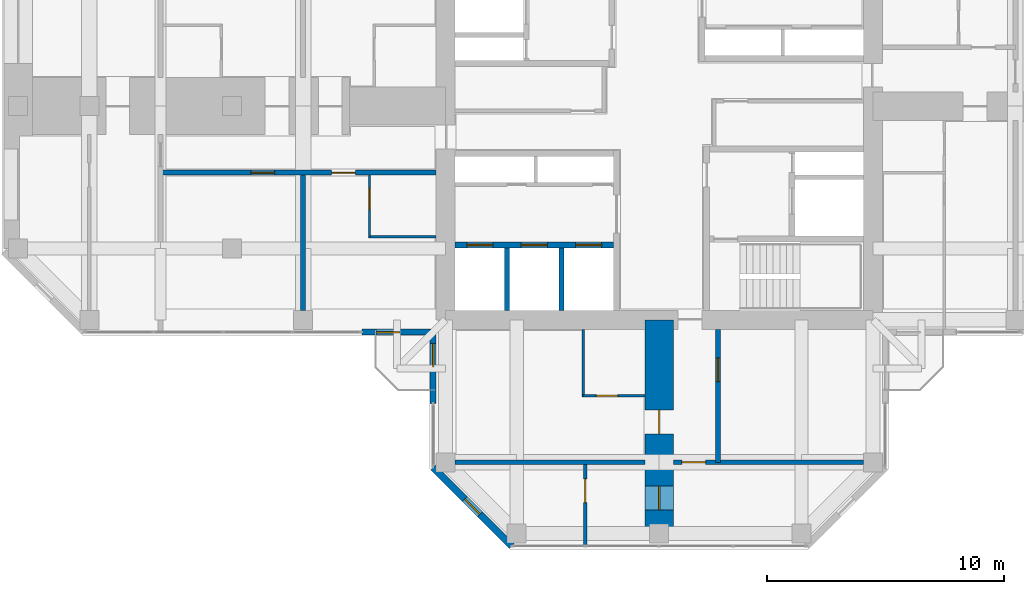
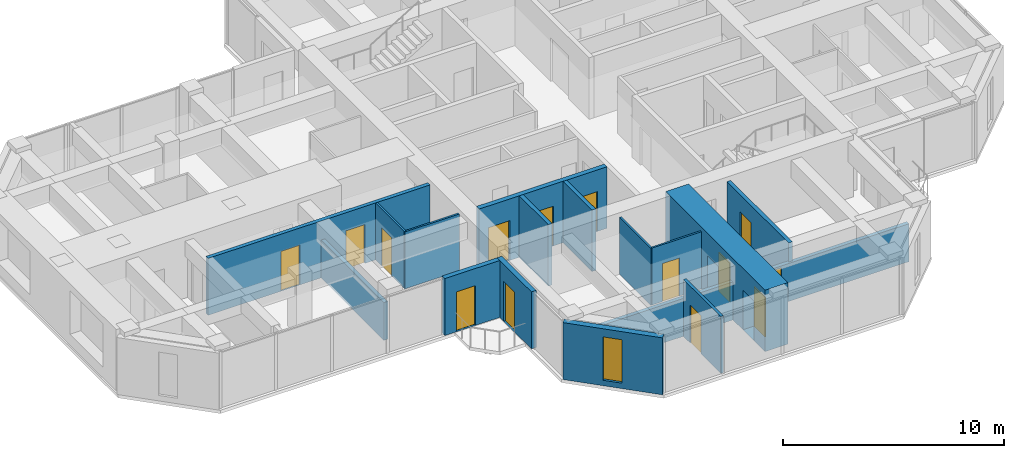
# One storey, part 8 of 13: 17 walls, 14 doors, 1 window, 15 openings.
"""IFC4 building model written with IfcOpenShell, lengths in metres."""

import ifcopenshell
import ifcopenshell.guid

model = None  # the IFC model being written
_history = None  # IfcOwnerHistory: only IFC2X3 demands one
_inside = {}  # id of a spatial element -> (the spatial element, [elements in it])
_under = {}  # id of a project, library or spatial element -> (it, [spatial elements below it])
_declared = {}  # id of a project -> (the project, [libraries it declares])
_typed = {}  # id of a type object -> (the type object, [elements of that type])
_made_of = {}  # id of a material, layer set ... -> (it, [elements and type objects made of it])


def new_model(schema):
    """Start an empty IFC model of exactly this schema.

    Asked for "IFC4X3", IfcOpenShell would pick the latest addendum, in which some entities
    have other attributes; the version numbers below select the first issue.
    IFC2X3 requires an IfcOwnerHistory on every rooted entity: one is made here for all.
    """
    global model, _history
    if schema == "IFC4X3":
        model = ifcopenshell.file(schema_version=(4, 3, 0, 0))
    else:
        model = ifcopenshell.file(schema=schema)
    _inside.clear()
    _under.clear()
    _declared.clear()
    _typed.clear()
    _made_of.clear()
    _history = None
    if model.schema == "IFC2X3":
        org = make("IfcOrganization", Name="unknown")
        user = make(
            "IfcPersonAndOrganization",
            ThePerson=make("IfcPerson", FamilyName="unknown"),
            TheOrganization=org,
        )
        app = make(
            "IfcApplication",
            ApplicationDeveloper=org,
            Version="unknown",
            ApplicationFullName="unknown",
            ApplicationIdentifier="unknown",
        )
        _history = make(
            "IfcOwnerHistory",
            OwningUser=user,
            OwningApplication=app,
            ChangeAction="ADDED",
            CreationDate=0,
        )
    return model


def make(cls, **values):
    """One entity of the class cls with the attributes given. An attribute that is None is left unset."""
    return model.create_entity(
        cls, **{name: value for name, value in values.items() if value is not None}
    )


def rooted(cls, **values):
    """An entity with a GlobalId (a new one), such as an element, a storey or a relation."""
    return make(cls, GlobalId=ifcopenshell.guid.new(), OwnerHistory=_history, **values)


def si_unit(unit_type, name, prefix=None):
    """IfcSIUnit, for example si_unit("LENGTHUNIT", "METRE", prefix="MILLI")."""
    return make("IfcSIUnit", UnitType=unit_type, Prefix=prefix, Name=name)


def assignment(units):
    """IfcUnitAssignment: the units of a project."""
    return None if units is None else make("IfcUnitAssignment", Units=units)


def point(xyz):
    """IfcCartesianPoint."""
    return None if xyz is None else make("IfcCartesianPoint", Coordinates=xyz)


def direction(xyz):
    """IfcDirection."""
    return None if xyz is None else make("IfcDirection", DirectionRatios=xyz)


def frame(location, z_axis=None, x_axis=None):
    """IfcAxis2Placement3D, a coordinate frame: its origin and axes. An axis left out is left unset."""
    return make(
        "IfcAxis2Placement3D",
        Location=point(location),
        Axis=direction(z_axis),
        RefDirection=direction(x_axis),
    )


def frame_2d(location, x_axis=None):
    """IfcAxis2Placement2D, a coordinate frame in the plane: its origin and x axis."""
    return make(
        "IfcAxis2Placement2D", Location=point(location), RefDirection=direction(x_axis)
    )


def origin():
    """The frame at (0, 0, 0) with its axes left unset."""
    return frame((0.0, 0.0, 0.0))


def place(relative_to, where):
    """IfcLocalPlacement: puts the frame where relative to a parent placement (None: the world)."""
    return make(
        "IfcLocalPlacement", PlacementRelTo=relative_to, RelativePlacement=where
    )


def context(
    kind, dimensions, precision=None, world=None, true_north=None, identifier=None
):
    """IfcGeometricRepresentationContext, for example the 3D "Model" context."""
    return make(
        "IfcGeometricRepresentationContext",
        ContextIdentifier=identifier,
        ContextType=kind,
        CoordinateSpaceDimension=dimensions,
        Precision=precision,
        WorldCoordinateSystem=world,
        TrueNorth=true_north,
    )


def subcontext(parent, identifier, kind, view, scale=None):
    """IfcGeometricRepresentationSubContext, for example "Body" below "Model"."""
    return make(
        "IfcGeometricRepresentationSubContext",
        ContextIdentifier=identifier,
        ContextType=kind,
        ParentContext=parent,
        TargetScale=scale,
        TargetView=view,
    )


def project(units=None, contexts=None):
    """IfcProject with its units and contexts."""
    return rooted(
        "IfcProject",
        Name="project",
        RepresentationContexts=contexts,
        UnitsInContext=assignment(units),
    )


def spatial(cls, under=None, at=None, **own):
    """A site, building, storey or space (cls), placed at a placement, below another one or the project."""
    s = rooted(cls, ObjectPlacement=at, **own)
    if under is not None:
        _under.setdefault(under.id(), (under, []))[1].append(s)
    return s


def profile(cls, at=None, kind="AREA", **sizes):
    """A parametric profile (cls). Its sizes go by their IFC names, for example OverallWidth=200.0."""
    return make(cls, ProfileType=kind, Position=at, **sizes)


def rectangle(**sizes):
    """IfcRectangleProfileDef."""
    return profile("IfcRectangleProfileDef", **sizes)


def hollow_rectangle(**sizes):
    """IfcRectangleHollowProfileDef."""
    return profile("IfcRectangleHollowProfileDef", **sizes)


def extrude(swept, where, along, depth):
    """IfcExtrudedAreaSolid: the profile swept, set in the frame where, extruded along a direction by depth."""
    return make(
        "IfcExtrudedAreaSolid",
        SweptArea=swept,
        Position=where,
        ExtrudedDirection=direction(along),
        Depth=depth,
    )


def shape(context_of_items, identifier, shape_type, items):
    """IfcShapeRepresentation: the items that make up one representation, for example the "Body"."""
    return make(
        "IfcShapeRepresentation",
        ContextOfItems=context_of_items,
        RepresentationIdentifier=identifier,
        RepresentationType=shape_type,
        Items=items,
    )


def material(Name=None, Category=None):
    """IfcMaterial."""
    return make("IfcMaterial", Name=Name, Category=Category)


def layer(
    of_material, thickness, ventilated=None, Name=None, Category=None, Priority=None
):
    """IfcMaterialLayer: one layer of a wall or slab, of a material (None: an air gap)."""
    return make(
        "IfcMaterialLayer",
        Material=of_material,
        LayerThickness=thickness,
        IsVentilated=ventilated,
        Name=Name,
        Category=Category,
        Priority=Priority,
    )


def layer_set(layers, Name=None):
    """IfcMaterialLayerSet."""
    return make("IfcMaterialLayerSet", MaterialLayers=layers, LayerSetName=Name)


def constituent(of_material, Name=None, Category=None, fraction=None):
    """IfcMaterialConstituent: one of the materials an element consists of."""
    return make(
        "IfcMaterialConstituent",
        Name=Name,
        Material=of_material,
        Fraction=fraction,
        Category=Category,
    )


def constituent_set(constituents=None, Name=None):
    """IfcMaterialConstituentSet."""
    return make(
        "IfcMaterialConstituentSet", Name=Name, MaterialConstituents=constituents
    )


def made_of(thing, what):
    """Note that an element or type object is made of a material, layer set ...; save() writes the relation."""
    if what is not None:
        _made_of.setdefault(what.id(), (what, []))[1].append(thing)
    return thing


def type_object(cls, material=None, **own):
    """A type object (cls), such as IfcWallType, which elements share."""
    return made_of(rooted(cls, **own), material)


def element(
    cls,
    number,
    at=None,
    inside=None,
    cuts=None,
    type_object=None,
    material=None,
    context=None,
    identifier="Body",
    shape_type=None,
    held_by="IfcProductDefinitionShape",
    body=None,
    shapes=None,
    **own,
):
    """One element of the class cls, such as IfcWall. Its Tag is "e" and its number.

    at: its placement. inside: the storey or other place that contains it. cuts: it is an
    opening in that element (IfcRelVoidsElement). A single representation is given by context,
    identifier, shape_type and body (its items); several are given by shapes. held_by: the class
    of the entity that holds the representations. save() writes the other relations.
    """
    e = rooted(cls, Tag="e%d" % number, ObjectPlacement=at, **own)
    if body is not None:
        shapes = [shape(context, identifier, shape_type, body)]
    if shapes is not None:
        e.Representation = make(held_by, Representations=shapes)
    if inside is not None:
        _inside.setdefault(inside.id(), (inside, []))[1].append(e)
    if cuts is not None:
        rooted(
            "IfcRelVoidsElement", RelatingBuildingElement=cuts, RelatedOpeningElement=e
        )
    if type_object is not None:
        _typed.setdefault(type_object.id(), (type_object, []))[1].append(e)
    return made_of(e, material)


def fill(opening, filler):
    """IfcRelFillsElement: the door or window that sits in an opening."""
    return rooted(
        "IfcRelFillsElement",
        RelatingOpeningElement=opening,
        RelatedBuildingElement=filler,
    )


def aggregate(whole, parts):
    """IfcRelAggregates: a whole, such as a stair, and the parts it consists of."""
    return rooted("IfcRelAggregates", RelatingObject=whole, RelatedObjects=parts)


def save(model, path):
    """Write the relations noted so far, then the file.

    IfcRelAggregates (storeys below a building ...), IfcRelContainedInSpatialStructure (elements
    in a storey), IfcRelDefinesByType, IfcRelAssociatesMaterial and IfcRelDeclares: one each for
    every whole, place, type object, material and project.
    """
    for whole, parts in _under.values():
        aggregate(whole, parts)
    for where, things in _inside.values():
        rooted(
            "IfcRelContainedInSpatialStructure",
            RelatedElements=things,
            RelatingStructure=where,
        )
    for kind, things in _typed.values():
        rooted("IfcRelDefinesByType", RelatedObjects=things, RelatingType=kind)
    for what, things in _made_of.values():
        rooted("IfcRelAssociatesMaterial", RelatedObjects=things, RelatingMaterial=what)
    for by, libraries in _declared.values():
        rooted("IfcRelDeclares", RelatingContext=by, RelatedDefinitions=libraries)
    model.write(path)


model = new_model("IFC4")

# Units and contexts
model_context = context("Model", 3, precision=1e-05, world=origin(), true_north=direction((0.0, 1.0)))
body_context = subcontext(model_context, "Body", "Model", "MODEL_VIEW")
ifc_project = project(units=[si_unit("LENGTHUNIT", "METRE"), si_unit("AREAUNIT", "SQUARE_METRE"), si_unit("VOLUMEUNIT", "CUBIC_METRE"), si_unit("PLANEANGLEUNIT", "RADIAN"), si_unit("MASSUNIT", "GRAM", prefix="KILO")], contexts=[model_context])

# Site, building, storey
site_placement = place(None, origin())
site = spatial("IfcSite", under=ifc_project, at=site_placement, CompositionType="ELEMENT")
building_placement = place(site_placement, origin())
building = spatial("IfcBuilding", under=site, at=building_placement, Name="Torre Cruceta", CompositionType="ELEMENT")
storey_placement = place(building_placement, frame((0.0, 0.0, 249.300048828125)))
storey = spatial("IfcBuildingStorey", under=building, at=storey_placement, Name="L64", CompositionType="ELEMENT", Elevation=249.300048828125)

# Wall
ifc_material_1 = material(Name="Water-resistant plasterboard on steel studs", Category="steel")
ifc_layer_1 = layer(ifc_material_1, 0.10009765625)
ifc_layer_set_1 = layer_set([ifc_layer_1], Name="Water-resistant plasterboard on steel studs")
wall_type_1 = type_object("IfcWallType", Name="BATHROOM WALL 100", PredefinedType="PARTITIONING", material=ifc_layer_set_1)
wall_1_placement = place(storey_placement, frame((-3.199951171875, -9.39990234375, 0.0), z_axis=(0.0, 0.0, 1.0), x_axis=(0.0, -1.0, 0.0)))
element("IfcWall", 1, at=wall_1_placement, inside=storey, type_object=wall_type_1, Name="PT4 L64-S-U1RBB", PredefinedType="PARTITIONING", context=body_context, shape_type="SweptSolid", body=[
    extrude(rectangle(XDim=2.85009765625, YDim=0.10009765625, at=frame_2d((1.425048828125, 0.0))), origin(), (0.0, 0.0, 1.0), 3.14990234375),
])

# Wall, opening, door
wall_2_placement = place(storey_placement, frame((-3.199951171875, -12.199951171875, 0.0), z_axis=(0.0, 0.0, 1.0), x_axis=(1.0, 0.0, 0.0)))
wall_2 = element("IfcWall", 2, at=wall_2_placement, inside=storey, type_object=wall_type_1, Name="PT4 L64-S-U1RBS", PredefinedType="PARTITIONING", context=body_context, shape_type="SweptSolid", body=[
    extrude(rectangle(XDim=2.599853515625, YDim=0.10009765625, at=frame_2d((1.2998046875, 0.0))), origin(), (0.0, 0.0, 1.0), 3.14990234375),
])
opening_1_placement = place(wall_2_placement, frame((0.550048828125, 0.0, 0.0)))
opening_1 = element("IfcOpeningElement", 3, at=opening_1_placement, cuts=wall_2, Name="Opening D7", PredefinedType="OPENING", context=body_context, shape_type="SweptSolid", body=[
    extrude(rectangle(XDim=0.89990234375, YDim=2.10009765625, at=frame_2d((0.449951171875, 1.050048828125))), frame((0.0, 0.06005859375, 0.0), z_axis=(0.0, -1.0, 0.0), x_axis=(1.0, 0.0, 0.0)), (0.0, 0.0, 1.0), 0.1201171875),
])
ifc_material_2 = material(Name="Timber door", Category="wood")
door_type_1 = type_object("IfcDoorType", Name="BATHROOM DOOR 900X2100", OperationType="SINGLE_SWING_LEFT", PredefinedType="DOOR", material=ifc_material_2)
door_1_placement = place(opening_1_placement, origin())
door_1 = element("IfcDoor", 4, at=door_1_placement, inside=storey, type_object=door_type_1, Name="D7 L64-S-U1RBS-D1", OperationType="SINGLE_SWING_LEFT", OverallHeight=2.10009765625, OverallWidth=0.89990234375, PredefinedType="DOOR", context=body_context, shape_type="SweptSolid", body=[
    extrude(rectangle(XDim=0.89990234375, YDim=2.10009765625, at=frame_2d((0.449951171875, 1.050048828125))), frame((0.0, 0.02490234375, 0.0), z_axis=(0.0, -1.0, 0.0), x_axis=(1.0, 0.0, 0.0)), (0.0, 0.0, 1.0), 0.050048828125),
])
fill(opening_1, door_1)

# Wall
wall_3_placement = place(storey_placement, frame((-9.39990234375, -5.5, 0.0), z_axis=(0.0, 0.0, 1.0), x_axis=(-1.0, 0.0, 0.0)))
element("IfcWall", 5, at=wall_3_placement, inside=storey, type_object=wall_type_1, Name="PT4 L64-W-U1LBB", PredefinedType="PARTITIONING", context=body_context, shape_type="SweptSolid", body=[
    extrude(rectangle(XDim=2.85009765625, YDim=0.10009765625, at=frame_2d((1.425048828125, 0.0))), origin(), (0.0, 0.0, 1.0), 3.14990234375),
])

# Wall, opening, door
wall_4_placement = place(storey_placement, frame((-12.199951171875, -2.89990234375, 0.0), z_axis=(0.0, 0.0, 1.0), x_axis=(0.0, -1.0, 0.0)))
wall_4 = element("IfcWall", 6, at=wall_4_placement, inside=storey, type_object=wall_type_1, Name="PT4 L64-W-U1LBS", PredefinedType="PARTITIONING", context=body_context, shape_type="SweptSolid", body=[
    extrude(rectangle(XDim=2.60009765625, YDim=0.10009765625, at=frame_2d((1.300048828125, 0.0))), origin(), (0.0, 0.0, 1.0), 3.14990234375),
])
opening_2_placement = place(wall_4_placement, frame((0.550048828125, 0.0, 0.0)))
opening_2 = element("IfcOpeningElement", 7, at=opening_2_placement, cuts=wall_4, Name="Opening D7", PredefinedType="OPENING", context=body_context, shape_type="SweptSolid", body=[
    extrude(rectangle(XDim=0.89990234375, YDim=2.10009765625, at=frame_2d((0.449951171875, 1.050048828125))), frame((0.0, 0.06005859375, 0.0), z_axis=(0.0, -1.0, 0.0), x_axis=(1.0, 0.0, 0.0)), (0.0, 0.0, 1.0), 0.1201171875),
])
door_2_placement = place(opening_2_placement, origin())
door_2 = element("IfcDoor", 8, at=door_2_placement, inside=storey, type_object=door_type_1, Name="D7 L64-W-U1LBS-D1", OperationType="SINGLE_SWING_LEFT", OverallHeight=2.10009765625, OverallWidth=0.89990234375, PredefinedType="DOOR", context=body_context, shape_type="SweptSolid", body=[
    extrude(rectangle(XDim=0.89990234375, YDim=2.10009765625, at=frame_2d((0.449951171875, 1.050048828125))), frame((0.0, 0.02490234375, 0.0), z_axis=(0.0, -1.0, 0.0), x_axis=(1.0, 0.0, 0.0)), (0.0, 0.0, 1.0), 0.050048828125),
])
fill(opening_2, door_2)

# Wall, openings, doors
ifc_material_3 = material(Name="Concrete G60 (fck 60 MPa)", Category="concrete")
ifc_layer_2 = layer(ifc_material_3, 0.25)
ifc_layer_set_2 = layer_set([ifc_layer_2], Name="Concrete G60 (fck 60 MPa)")
wall_type_2 = type_object("IfcWallType", Name="CORE INNER WALL 250 G60", PredefinedType="SHEAR", material=ifc_layer_set_2)
wall_5_placement = place(storey_placement, frame((-1.925048828125, -5.85009765625, 0.0), z_axis=(0.0, 0.0, 1.0), x_axis=(-1.0, 0.0, 0.0)))
wall_5 = element("IfcWall", 9, at=wall_5_placement, inside=storey, type_object=wall_type_2, Name="CW4 L64 SW-LV", PredefinedType="SHEAR", context=body_context, shape_type="SweptSolid", body=[
    extrude(rectangle(XDim=6.675048828125, YDim=0.25, at=frame_2d((3.33740234375, 0.0))), origin(), (0.0, 0.0, 1.0), 3.39990234375),
])
opening_3_placement = place(wall_5_placement, frame((0.495849609375, 0.0, 0.0)))
opening_3 = element("IfcOpeningElement", 10, at=opening_3_placement, cuts=wall_5, Name="Opening LD1", PredefinedType="OPENING", context=body_context, shape_type="SweptSolid", body=[
    extrude(rectangle(XDim=1.10009765625, YDim=2.199951171875, at=frame_2d((0.550048828125, 1.10009765625))), frame((0.0, 0.135009765625, 0.0), z_axis=(0.0, -1.0, 0.0), x_axis=(1.0, 0.0, 0.0)), (0.0, 0.0, 1.0), 0.27001953125),
])
opening_4_placement = place(wall_5_placement, frame((2.78759765625, 0.0, 0.0)))
opening_4 = element("IfcOpeningElement", 11, at=opening_4_placement, cuts=wall_5, Name="Opening LD1", PredefinedType="OPENING", context=body_context, shape_type="SweptSolid", body=[
    extrude(rectangle(XDim=1.10009765625, YDim=2.199951171875, at=frame_2d((0.550048828125, 1.10009765625))), frame((0.0, 0.135009765625, 0.0), z_axis=(0.0, -1.0, 0.0), x_axis=(1.0, 0.0, 0.0)), (0.0, 0.0, 1.0), 0.27001953125),
])
opening_5_placement = place(wall_5_placement, frame((5.0791015625, 0.0, 0.0)))
opening_5 = element("IfcOpeningElement", 12, at=opening_5_placement, cuts=wall_5, Name="Opening LD1", PredefinedType="OPENING", context=body_context, shape_type="SweptSolid", body=[
    extrude(rectangle(XDim=1.10009765625, YDim=2.199951171875, at=frame_2d((0.550048828125, 1.10009765625))), frame((0.0, 0.135009765625, 0.0), z_axis=(0.0, -1.0, 0.0), x_axis=(1.0, 0.0, 0.0)), (0.0, 0.0, 1.0), 0.27001953125),
])
ifc_material_4 = material(Name="Stainless steel 1.4401", Category="steel")
door_type_2 = type_object("IfcDoorType", Name="LIFT LANDING DOOR 1100X2200", OperationType="DOUBLE_DOOR_SLIDING", PredefinedType="DOOR", material=ifc_material_4)
door_3_placement = place(opening_3_placement, origin())
door_3 = element("IfcDoor", 13, at=door_3_placement, inside=storey, type_object=door_type_2, Name="Lift landing door R1", OperationType="DOUBLE_DOOR_SLIDING", OverallHeight=2.199951171875, OverallWidth=1.10009765625, PredefinedType="DOOR", context=body_context, shape_type="SweptSolid", body=[
    extrude(rectangle(XDim=1.10009765625, YDim=2.199951171875, at=frame_2d((0.550048828125, 1.10009765625))), frame((0.0, 0.02490234375, 0.0), z_axis=(0.0, -1.0, 0.0), x_axis=(1.0, 0.0, 0.0)), (0.0, 0.0, 1.0), 0.050048828125),
])
fill(opening_3, door_3)
door_4_placement = place(opening_4_placement, origin())
door_4 = element("IfcDoor", 14, at=door_4_placement, inside=storey, type_object=door_type_2, Name="Lift landing door R2", OperationType="DOUBLE_DOOR_SLIDING", OverallHeight=2.199951171875, OverallWidth=1.10009765625, PredefinedType="DOOR", context=body_context, shape_type="SweptSolid", body=[
    extrude(rectangle(XDim=1.10009765625, YDim=2.199951171875, at=frame_2d((0.550048828125, 1.10009765625))), frame((0.0, 0.02490234375, 0.0), z_axis=(0.0, -1.0, 0.0), x_axis=(1.0, 0.0, 0.0)), (0.0, 0.0, 1.0), 0.050048828125),
])
fill(opening_4, door_4)
door_5_placement = place(opening_5_placement, origin())
door_5 = element("IfcDoor", 15, at=door_5_placement, inside=storey, type_object=door_type_2, Name="Lift landing door R3", OperationType="DOUBLE_DOOR_SLIDING", OverallHeight=2.199951171875, OverallWidth=1.10009765625, PredefinedType="DOOR", context=body_context, shape_type="SweptSolid", body=[
    extrude(rectangle(XDim=1.10009765625, YDim=2.199951171875, at=frame_2d((0.550048828125, 1.10009765625))), frame((0.0, 0.02490234375, 0.0), z_axis=(0.0, -1.0, 0.0), x_axis=(1.0, 0.0, 0.0)), (0.0, 0.0, 1.0), 0.050048828125),
])
fill(opening_5, door_5)

# Wall, opening, door
ifc_material_5 = material(Name="Concrete G25 (fck 25 MPa)", Category="concrete")
ifc_layer_3 = layer(ifc_material_5, 0.199951171875)
ifc_layer_set_3 = layer_set([ifc_layer_3], Name="Concrete G25 (fck 25 MPa)")
wall_type_3 = type_object("IfcWallType", Name="CORRIDOR WALL 200", PredefinedType="SOLIDWALL", material=ifc_layer_set_3)
wall_6_placement = place(storey_placement, frame((2.47509765625, -9.39990234375, 0.0), z_axis=(0.0, 0.0, 1.0), x_axis=(0.0, -1.0, 0.0)))
wall_6 = element("IfcWall", 16, at=wall_6_placement, inside=storey, type_object=wall_type_3, Name="PT3 L64-S-CL", PredefinedType="SOLIDWALL", context=body_context, shape_type="SweptSolid", body=[
    extrude(rectangle(XDim=5.60009765625, YDim=0.199951171875, at=frame_2d((2.800048828125, 0.0))), origin(), (0.0, 0.0, 1.0), 3.14990234375),
])
opening_6_placement = place(wall_6_placement, frame((1.199951171875, 0.0, 0.0)))
opening_6 = element("IfcOpeningElement", 17, at=opening_6_placement, cuts=wall_6, Name="Opening D14", PredefinedType="OPENING", context=body_context, shape_type="SweptSolid", body=[
    extrude(rectangle(XDim=1.0, YDim=2.199951171875, at=frame_2d((0.5, 1.10009765625))), frame((0.0, 0.10986328125, 0.0), z_axis=(0.0, -1.0, 0.0), x_axis=(1.0, 0.0, 0.0)), (0.0, 0.0, 1.0), 0.219970703125),
])
ifc_material_6 = material(Name="Steel DX51D", Category="steel")
ifc_constituent_1 = constituent(ifc_material_6, Name="Leaf and frame")
ifc_material_7 = material(Name="Polyester powder coating", Category="paint")
ifc_constituent_2 = constituent(ifc_material_7, Name="Finish")
ifc_material_8 = material(Name="Fire-resisting glass", Category="glass")
ifc_constituent_3 = constituent(ifc_material_8, Name="Vision panel")
ifc_constituent_set_1 = constituent_set(constituents=[ifc_constituent_1, ifc_constituent_2, ifc_constituent_3], Name="Steel fire door with vision panel")
door_type_3 = type_object("IfcDoorType", Name="FIRE DOOR VISION PANEL 1000X2200", OperationType="SINGLE_SWING_RIGHT", PredefinedType="DOOR", material=ifc_constituent_set_1)
door_6_placement = place(opening_6_placement, origin())
door_6 = element("IfcDoor", 18, at=door_6_placement, inside=storey, type_object=door_type_3, Name="D14 L64-S-CL-D1", OperationType="SINGLE_SWING_LEFT", OverallHeight=2.199951171875, OverallWidth=1.0, PredefinedType="DOOR", context=body_context, shape_type="SweptSolid", body=[
    extrude(rectangle(XDim=1.0, YDim=2.199951171875, at=frame_2d((0.5, 1.10009765625))), frame((0.0, 0.02490234375, 0.0), z_axis=(0.0, -1.0, 0.0), x_axis=(1.0, 0.0, 0.0)), (0.0, 0.0, 1.0), 0.050048828125),
])
fill(opening_6, door_6)

# Wall, openings, doors
wall_7_placement = place(storey_placement, frame((-9.39990234375, -2.800048828125, 0.0), z_axis=(0.0, 0.0, 1.0), x_axis=(-1.0, 0.0, 0.0)))
wall_7 = element("IfcWall", 19, at=wall_7_placement, inside=storey, type_object=wall_type_3, Name="PT3 L64-W-CL", PredefinedType="SOLIDWALL", context=body_context, shape_type="SweptSolid", body=[
    extrude(rectangle(XDim=11.60009765625, YDim=0.199951171875, at=frame_2d((5.800048828125, 0.0))), origin(), (0.0, 0.0, 1.0), 3.14990234375),
])
opening_7_placement = place(wall_7_placement, frame((3.39990234375, 0.0, 0.0)))
opening_7 = element("IfcOpeningElement", 20, at=opening_7_placement, cuts=wall_7, Name="Opening D6", PredefinedType="OPENING", context=body_context, shape_type="SweptSolid", body=[
    extrude(rectangle(XDim=1.0, YDim=2.14990234375, at=frame_2d((0.5, 1.074951171875))), frame((0.0, 0.10986328125, 0.0), z_axis=(0.0, -1.0, 0.0), x_axis=(1.0, 0.0, 0.0)), (0.0, 0.0, 1.0), 0.219970703125),
])
opening_8_placement = place(wall_7_placement, frame((6.800048828125, 0.0, 0.0)))
opening_8 = element("IfcOpeningElement", 21, at=opening_8_placement, cuts=wall_7, Name="Opening D14", PredefinedType="OPENING", context=body_context, shape_type="SweptSolid", body=[
    extrude(rectangle(XDim=1.0, YDim=2.199951171875, at=frame_2d((0.5, 1.10009765625))), frame((0.0, 0.10986328125, 0.0), z_axis=(0.0, -1.0, 0.0), x_axis=(1.0, 0.0, 0.0)), (0.0, 0.0, 1.0), 0.219970703125),
])
door_7_placement = place(opening_8_placement, origin())
door_7 = element("IfcDoor", 22, at=door_7_placement, inside=storey, type_object=door_type_3, Name="D14 L64-W-CL-D2", OperationType="SINGLE_SWING_LEFT", OverallHeight=2.199951171875, OverallWidth=1.0, PredefinedType="DOOR", context=body_context, shape_type="SweptSolid", body=[
    extrude(rectangle(XDim=1.0, YDim=2.199951171875, at=frame_2d((0.5, 1.10009765625))), frame((0.0, 0.02490234375, 0.0), z_axis=(0.0, -1.0, 0.0), x_axis=(1.0, 0.0, 0.0)), (0.0, 0.0, 1.0), 0.050048828125),
])
fill(opening_8, door_7)
ifc_material_9 = material(Name="Timber fire door", Category="wood")
door_type_4 = type_object("IfcDoorType", Name="UNIT ENTRANCE DOOR 1000X2150", OperationType="SINGLE_SWING_LEFT", PredefinedType="DOOR", material=ifc_material_9)
door_8_placement = place(opening_7_placement, origin())
door_8 = element("IfcDoor", 23, at=door_8_placement, inside=storey, type_object=door_type_4, Name="D6 L64-W-CL-D1", OperationType="SINGLE_SWING_LEFT", OverallHeight=2.14990234375, OverallWidth=1.0, PredefinedType="DOOR", context=body_context, shape_type="SweptSolid", body=[
    extrude(rectangle(XDim=1.0, YDim=2.14990234375, at=frame_2d((0.5, 1.074951171875))), frame((0.0, 0.02490234375, 0.0), z_axis=(0.0, -1.0, 0.0), x_axis=(1.0, 0.0, 0.0)), (0.0, 0.0, 1.0), 0.050048828125),
])
fill(opening_7, door_8)

# Wall, opening, window
ifc_material_10 = material(Name="Concrete G30 (fck 30 MPa)", Category="concrete")
ifc_layer_4 = layer(ifc_material_10, 0.300048828125)
ifc_layer_set_4 = layer_set([ifc_layer_4], Name="Concrete G30 (fck 30 MPa)")
wall_type_4 = type_object("IfcWallType", Name="EXPOSED CONCRETE FACADE WALL 300", PredefinedType="SOLIDWALL", material=ifc_layer_set_4)
wall_8_placement = place(storey_placement, frame((-9.52001953125, -15.21533203125, 0.0), z_axis=(0.0, 0.0, 1.0), x_axis=(0.707106781187, -0.707106781187, 0.0)))
wall_8 = element("IfcWall", 24, at=wall_8_placement, inside=storey, type_object=wall_type_4, Name="EW1 facade wall L64 S chamfer 16", PredefinedType="SOLIDWALL", context=body_context, shape_type="SweptSolid", body=[
    extrude(rectangle(XDim=4.673583984375, YDim=0.300048828125, at=frame_2d((2.3369140625, 0.0))), origin(), (0.0, 0.0, 1.0), 3.14990234375),
])
opening_9_placement = place(wall_8_placement, frame((1.88671875, 0.0, 0.300048828125)))
opening_9 = element("IfcOpeningElement", 25, at=opening_9_placement, cuts=wall_8, Name="Opening WN5", PredefinedType="OPENING", context=body_context, shape_type="SweptSolid", body=[
    extrude(rectangle(XDim=0.89990234375, YDim=2.39990234375, at=frame_2d((0.449951171875, 1.199951171875))), frame((0.0, 0.159912109375, 0.0), z_axis=(0.0, -1.0, 0.0), x_axis=(1.0, 0.0, 0.0)), (0.0, 0.0, 1.0), 0.320068359375),
])
ifc_material_11 = material(Name="Aluminium window frame", Category="aluminium")
ifc_constituent_4 = constituent(ifc_material_11, Name="Frame")
ifc_material_12 = material(Name="Laminated insulating glass unit, low-iron clear", Category="glass")
ifc_constituent_5 = constituent(ifc_material_12, Name="Glazing")
ifc_constituent_set_2 = constituent_set(constituents=[ifc_constituent_4, ifc_constituent_5], Name="Aluminium window")
window_type = type_object("IfcWindowType", Name="CHAMFER SLOT WINDOW 900X2400", PartitioningType="SINGLE_PANEL", PredefinedType="WINDOW", material=ifc_constituent_set_2)
window_placement = place(opening_9_placement, origin())
window = element("IfcWindow", 26, at=window_placement, inside=storey, type_object=window_type, Name="WN5 L64 S 1", OverallHeight=2.39990234375, OverallWidth=0.89990234375, PartitioningType="SINGLE_PANEL", PredefinedType="WINDOW", context=body_context, shape_type="SweptSolid", body=[
    extrude(hollow_rectangle(XDim=0.89990234375, YDim=2.39990234375, WallThickness=0.06005859375, at=frame_2d((0.449951171875, 1.199951171875))), frame((0.0, 0.030029296875, 0.0), z_axis=(0.0, -1.0, 0.0), x_axis=(1.0, 0.0, 0.0)), (0.0, 0.0, 1.0), 0.06005859375),
    extrude(rectangle(XDim=0.77880859375, YDim=2.27880859375, at=frame_2d((0.449951171875, 1.199951171875))), frame((0.0, 0.030029296875, 0.0), z_axis=(0.0, -1.0, 0.0), x_axis=(1.0, 0.0, 0.0)), (0.0, 0.0, 1.0), 0.06005859375),
])
fill(opening_9, window)

# Walls
ifc_material_13 = material(Name="Concrete G35 (fck 35 MPa)", Category="concrete")
ifc_layer_5 = layer(ifc_material_13, 0.199951171875)
ifc_layer_set_5 = layer_set([ifc_layer_5], Name="Concrete G35 (fck 35 MPa)")
wall_type_5 = type_object("IfcWallType", Name="LIFT SHAFT WALL 200", PredefinedType="PARTITIONING", material=ifc_layer_set_5)
for number, where, z_axis, x_axis, name in (
    (27, (-4.11669921875, -5.97509765625, 0.0), (0.0, 0.0, 1.0), (0.0, -1.0, 0.0), "SW1 L64 SW-LS1"),
    (28, (-6.408447265625, -5.97509765625, 0.0), (0.0, 0.0, 1.0), (0.0, -1.0, 0.0), "SW1 L64 SW-LS2"),
):
    element("IfcWall", number, at=place(storey_placement, frame(where, z_axis=z_axis, x_axis=x_axis)), inside=storey, type_object=wall_type_5, Name=name, PredefinedType="PARTITIONING", context=body_context, shape_type="SweptSolid", body=[
        extrude(rectangle(XDim=2.625, YDim=0.199951171875, at=frame_2d((1.3125, 0.0))), origin(), (0.0, 0.0, 1.0), 3.39990234375),
    ])

# Wall, opening, door
ifc_material_14 = material(Name="Plasterboard on steel studs", Category="steel")
ifc_layer_6 = layer(ifc_material_14, 0.14990234375)
ifc_layer_set_6 = layer_set([ifc_layer_6], Name="Plasterboard on steel studs")
wall_type_6 = type_object("IfcWallType", Name="PARTITION 150", PredefinedType="PARTITIONING", material=ifc_layer_set_6)
wall_9_placement = place(storey_placement, frame((-3.117919921875, -15.10009765625, 0.0), z_axis=(0.0, 0.0, 1.0), x_axis=(0.0, -1.0, 0.0)))
wall_9 = element("IfcWall", 29, at=wall_9_placement, inside=storey, type_object=wall_type_6, Name="PT1 L64-S-END2X", PredefinedType="PARTITIONING", context=body_context, shape_type="SweptSolid", body=[
    extrude(rectangle(XDim=3.3798828125, YDim=0.14990234375, at=frame_2d((1.68994140625, 0.0))), origin(), (0.0, 0.0, 1.0), 3.14990234375),
])
opening_10_placement = place(wall_9_placement, frame((0.60009765625, 0.0, 0.0)))
opening_10 = element("IfcOpeningElement", 30, at=opening_10_placement, cuts=wall_9, Name="Opening D3", PredefinedType="OPENING", context=body_context, shape_type="SweptSolid", body=[
    extrude(rectangle(XDim=1.0, YDim=2.10009765625, at=frame_2d((0.5, 1.050048828125))), frame((0.0, 0.0849609375, 0.0), z_axis=(0.0, -1.0, 0.0), x_axis=(1.0, 0.0, 0.0)), (0.0, 0.0, 1.0), 0.169921875),
])
ifc_material_15 = material(Name="Steel DX51D", Category="steel")
ifc_constituent_6 = constituent(ifc_material_15, Name="Leaf and frame")
ifc_material_16 = material(Name="Polyester powder coating", Category="paint")
ifc_constituent_7 = constituent(ifc_material_16, Name="Finish")
ifc_constituent_set_3 = constituent_set(constituents=[ifc_constituent_6, ifc_constituent_7], Name="Steel fire door")
door_type_5 = type_object("IfcDoorType", Name="FIRE DOOR 1000X2100", OperationType="SINGLE_SWING_LEFT", PredefinedType="DOOR", material=ifc_constituent_set_3)
door_9_placement = place(opening_10_placement, origin())
door_9 = element("IfcDoor", 31, at=door_9_placement, inside=storey, type_object=door_type_5, Name="D3 L64-S-END2X-D1", OperationType="SINGLE_SWING_LEFT", OverallHeight=2.10009765625, OverallWidth=1.0, PredefinedType="DOOR", context=body_context, shape_type="SweptSolid", body=[
    extrude(rectangle(XDim=1.0, YDim=2.10009765625, at=frame_2d((0.5, 1.050048828125))), frame((0.0, 0.02490234375, 0.0), z_axis=(0.0, -1.0, 0.0), x_axis=(1.0, 0.0, 0.0)), (0.0, 0.0, 1.0), 0.050048828125),
])
fill(opening_10, door_9)

# Wall, openings, doors
ifc_material_17 = material(Name="Concrete G60 (fck 60 MPa)", Category="concrete")
ifc_layer_7 = layer(ifc_material_17, 1.199951171875)
ifc_layer_set_7 = layer_set([ifc_layer_7], Name="Concrete G60 (fck 60 MPa)")
wall_type_7 = type_object("IfcWallType", Name="SPINE WALL 1200 G60", PredefinedType="SHEAR", material=ifc_layer_set_7)
wall_10_placement = place(storey_placement, frame((0.0, -9.0, 0.0), z_axis=(0.0, 0.0, 1.0), x_axis=(0.0, -1.0, 0.0)))
wall_10 = element("IfcWall", 32, at=wall_10_placement, inside=storey, type_object=wall_type_7, Name="SW3 spine wall L64 S", PredefinedType="SHEAR", context=body_context, shape_type="SweptSolid", body=[
    extrude(rectangle(XDim=9.0, YDim=1.199951171875, at=frame_2d((4.5, 0.0))), origin(), (0.0, 0.0, 1.0), 3.39990234375),
])
opening_11_placement = place(wall_10_placement, frame((3.800048828125, 0.0, 0.0)))
opening_11 = element("IfcOpeningElement", 33, at=opening_11_placement, cuts=wall_10, Name="Opening D6", PredefinedType="OPENING", context=body_context, shape_type="SweptSolid", body=[
    extrude(rectangle(XDim=1.0, YDim=2.14990234375, at=frame_2d((0.5, 1.074951171875))), frame((0.0, 0.60986328125, 0.0), z_axis=(0.0, -1.0, 0.0), x_axis=(1.0, 0.0, 0.0)), (0.0, 0.0, 1.0), 1.219970703125),
])
opening_12_placement = place(wall_10_placement, frame((7.0, 0.0, 0.0)))
opening_12 = element("IfcOpeningElement", 34, at=opening_12_placement, cuts=wall_10, Name="Opening D14", PredefinedType="OPENING", context=body_context, shape_type="SweptSolid", body=[
    extrude(rectangle(XDim=1.0, YDim=2.199951171875, at=frame_2d((0.5, 1.10009765625))), frame((0.0, 0.60986328125, 0.0), z_axis=(0.0, -1.0, 0.0), x_axis=(1.0, 0.0, 0.0)), (0.0, 0.0, 1.0), 1.219970703125),
])
door_10_placement = place(opening_12_placement, frame((1.0, 0.0, 0.0), z_axis=(0.0, 0.0, 1.0), x_axis=(-1.0, 0.0, 0.0)))
door_10 = element("IfcDoor", 35, at=door_10_placement, inside=storey, type_object=door_type_3, Name="D14 L64-S-SP2", OperationType="SINGLE_SWING_RIGHT", OverallHeight=2.199951171875, OverallWidth=1.0, PredefinedType="DOOR", context=body_context, shape_type="SweptSolid", body=[
    extrude(rectangle(XDim=1.0, YDim=2.199951171875, at=frame_2d((0.5, 1.10009765625))), frame((0.0, 0.025146484375, 0.0), z_axis=(0.0, -1.0, 0.0), x_axis=(1.0, 0.0, 0.0)), (0.0, 0.0, 1.0), 0.050048828125),
])
fill(opening_12, door_10)
door_11_placement = place(opening_11_placement, frame((1.0, 0.0, 0.0), z_axis=(0.0, 0.0, 1.0), x_axis=(-1.0, 0.0, 0.0)))
door_11 = element("IfcDoor", 36, at=door_11_placement, inside=storey, type_object=door_type_4, Name="D6 L64-S-SP1", OperationType="SINGLE_SWING_RIGHT", OverallHeight=2.14990234375, OverallWidth=1.0, PredefinedType="DOOR", context=body_context, shape_type="SweptSolid", body=[
    extrude(rectangle(XDim=1.0, YDim=2.14990234375, at=frame_2d((0.5, 1.074951171875))), frame((0.0, 0.025146484375, 0.0), z_axis=(0.0, -1.0, 0.0), x_axis=(1.0, 0.0, 0.0)), (0.0, 0.0, 1.0), 0.050048828125),
])
fill(opening_11, door_11)

# Wall
ifc_material_18 = material(Name="Concrete G25 (fck 25 MPa)", Category="concrete")
ifc_layer_8 = layer(ifc_material_18, 0.199951171875)
ifc_layer_set_8 = layer_set([ifc_layer_8], Name="Concrete G25 (fck 25 MPa)")
wall_type_8 = type_object("IfcWallType", Name="UNIT SEPARATING WALL 200", PredefinedType="SOLIDWALL", material=ifc_layer_set_8)
wall_11_placement = place(storey_placement, frame((-8.60009765625, -15.0, 0.0), z_axis=(0.0, 0.0, 1.0), x_axis=(1.0, 0.0, 0.0)))
element("IfcWall", 37, at=wall_11_placement, inside=storey, type_object=wall_type_8, Name="PT2 L64-S-ENDa", PredefinedType="SOLIDWALL", context=body_context, shape_type="SweptSolid", body=[
    extrude(rectangle(XDim=8.0, YDim=0.199951171875, at=frame_2d((4.0, 0.0))), origin(), (0.0, 0.0, 1.0), 2.099853515625),
])

# Wall, opening, door
wall_12_placement = place(storey_placement, frame((0.60009765625, -15.0, 0.0), z_axis=(0.0, 0.0, 1.0), x_axis=(1.0, 0.0, 0.0)))
wall_12 = element("IfcWall", 38, at=wall_12_placement, inside=storey, type_object=wall_type_8, Name="PT2 L64-S-ENDb", PredefinedType="SOLIDWALL", context=body_context, shape_type="SweptSolid", body=[
    extrude(rectangle(XDim=8.0, YDim=0.199951171875, at=frame_2d((4.0, 0.0))), origin(), (0.0, 0.0, 1.0), 2.099853515625),
])
opening_13_placement = place(wall_12_placement, frame((0.35009765625, 0.0, 0.0)))
opening_13 = element("IfcOpeningElement", 39, at=opening_13_placement, cuts=wall_12, Name="Opening D16", PredefinedType="OPENING", context=body_context, shape_type="SweptSolid", body=[
    extrude(rectangle(XDim=1.0, YDim=2.0, at=frame_2d((0.5, 1.0))), frame((0.0, 0.10986328125, 0.0), z_axis=(0.0, -1.0, 0.0), x_axis=(1.0, 0.0, 0.0)), (0.0, 0.0, 1.0), 0.219970703125),
])
ifc_material_19 = material(Name="Steel DX51D", Category="steel")
ifc_constituent_8 = constituent(ifc_material_19, Name="Leaf and frame")
ifc_material_20 = material(Name="Polyester powder coating", Category="paint")
ifc_constituent_9 = constituent(ifc_material_20, Name="Finish")
ifc_material_21 = material(Name="Fire-resisting glass", Category="glass")
ifc_constituent_10 = constituent(ifc_material_21, Name="Vision panel")
ifc_constituent_set_4 = constituent_set(constituents=[ifc_constituent_8, ifc_constituent_9, ifc_constituent_10], Name="Steel fire door with vision panel")
door_type_6 = type_object("IfcDoorType", Name="FIRE DOOR VISION PANEL 1000X2000", OperationType="SINGLE_SWING_RIGHT", PredefinedType="DOOR", material=ifc_constituent_set_4)
door_12_placement = place(opening_13_placement, frame((1.0, 0.0, 0.0), z_axis=(0.0, 0.0, 1.0), x_axis=(-1.0, 0.0, 0.0)))
door_12 = element("IfcDoor", 40, at=door_12_placement, inside=storey, type_object=door_type_6, Name="D16 L64-S-ENDb-D1", OperationType="SINGLE_SWING_RIGHT", OverallHeight=2.0, OverallWidth=1.0, PredefinedType="DOOR", context=body_context, shape_type="SweptSolid", body=[
    extrude(rectangle(XDim=1.0, YDim=2.0, at=frame_2d((0.5, 1.0))), frame((0.0, 0.025146484375, 0.0), z_axis=(0.0, -1.0, 0.0), x_axis=(1.0, 0.0, 0.0)), (0.0, 0.0, 1.0), 0.050048828125),
])
fill(opening_13, door_12)

# Wall
wall_13_placement = place(storey_placement, frame((-15.0, -2.89990234375, 0.0), z_axis=(0.0, 0.0, 1.0), x_axis=(0.0, -1.0, 0.0)))
element("IfcWall", 41, at=wall_13_placement, inside=storey, type_object=wall_type_8, Name="PT2 L64-W-P1L", PredefinedType="SOLIDWALL", context=body_context, shape_type="SweptSolid", body=[
    extrude(rectangle(XDim=5.7001953125, YDim=0.199951171875, at=frame_2d((2.85009765625, 0.0))), origin(), (0.0, 0.0, 1.0), 2.099853515625),
])

# Wall, opening, door
ifc_material_22 = material(Name="Concrete G30 (fck 30 MPa)", Category="concrete")
ifc_layer_9 = layer(ifc_material_22, 0.25)
ifc_layer_set_9 = layer_set([ifc_layer_9], Name="Concrete G30 (fck 30 MPa)")
wall_type_9 = type_object("IfcWallType", Name="WINTER GARDEN WALL 250", PredefinedType="SOLIDWALL", material=ifc_layer_set_9)
wall_14_placement = place(storey_placement, frame((-12.52001953125, -9.52001953125, 0.0), z_axis=(0.0, 0.0, 1.0), x_axis=(1.0, 0.0, 0.0)))
wall_14 = element("IfcWall", 42, at=wall_14_placement, inside=storey, type_object=wall_type_9, Name="EW2 winter garden wall L64 14", PredefinedType="SOLIDWALL", context=body_context, shape_type="SweptSolid", body=[
    extrude(rectangle(XDim=2.875, YDim=0.25, at=frame_2d((1.4375, 0.0))), origin(), (0.0, 0.0, 1.0), 3.14990234375),
])
opening_14_placement = place(wall_14_placement, frame((0.60009765625, 0.0, 0.0)))
opening_14 = element("IfcOpeningElement", 43, at=opening_14_placement, cuts=wall_14, Name="Opening D10", PredefinedType="OPENING", context=body_context, shape_type="SweptSolid", body=[
    extrude(rectangle(XDim=1.0, YDim=2.199951171875, at=frame_2d((0.5, 1.10009765625))), frame((0.0, 0.135009765625, 0.0), z_axis=(0.0, -1.0, 0.0), x_axis=(1.0, 0.0, 0.0)), (0.0, 0.0, 1.0), 0.27001953125),
])
ifc_material_23 = material(Name="Aluminium door frame", Category="aluminium")
ifc_constituent_11 = constituent(ifc_material_23, Name="Frame")
ifc_material_24 = material(Name="Laminated safety glass", Category="glass")
ifc_constituent_12 = constituent(ifc_material_24, Name="Glazing")
ifc_constituent_set_5 = constituent_set(constituents=[ifc_constituent_11, ifc_constituent_12], Name="Aluminium glazed door")
door_type_7 = type_object("IfcDoorType", Name="BALCONY DOOR 1000X2200", OperationType="SINGLE_SWING_RIGHT", PredefinedType="DOOR", material=ifc_constituent_set_5)
door_13_placement = place(opening_14_placement, origin())
door_13 = element("IfcDoor", 44, at=door_13_placement, inside=storey, type_object=door_type_7, Name="D10 balcony door L64 14", OperationType="SINGLE_SWING_RIGHT", OverallHeight=2.199951171875, OverallWidth=1.0, PredefinedType="DOOR", context=body_context, shape_type="SweptSolid", body=[
    extrude(hollow_rectangle(XDim=1.0, YDim=2.199951171875, WallThickness=0.06005859375, at=frame_2d((0.5, 1.10009765625))), frame((0.0, 0.02490234375, 0.0), z_axis=(0.0, -1.0, 0.0), x_axis=(1.0, 0.0, 0.0)), (0.0, 0.0, 1.0), 0.050048828125),
    extrude(rectangle(XDim=0.87890625, YDim=2.078857421875, at=frame_2d((0.5, 1.10009765625))), frame((0.0, 0.02490234375, 0.0), z_axis=(0.0, -1.0, 0.0), x_axis=(1.0, 0.0, 0.0)), (0.0, 0.0, 1.0), 0.050048828125),
])
fill(opening_14, door_13)

wall_15_placement = place(storey_placement, frame((-9.52001953125, -9.39501953125, 0.0), z_axis=(0.0, 0.0, 1.0), x_axis=(0.0, -1.0, 0.0)))
wall_15 = element("IfcWall", 45, at=wall_15_placement, inside=storey, type_object=wall_type_9, Name="EW2 winter garden wall L64 15", PredefinedType="SOLIDWALL", context=body_context, shape_type="SweptSolid", body=[
    extrude(rectangle(XDim=3.125, YDim=0.25, at=frame_2d((1.5625, 0.0))), origin(), (0.0, 0.0, 1.0), 3.14990234375),
])
opening_15_placement = place(wall_15_placement, frame((0.60009765625, 0.0, 0.0)))
opening_15 = element("IfcOpeningElement", 46, at=opening_15_placement, cuts=wall_15, Name="Opening D10", PredefinedType="OPENING", context=body_context, shape_type="SweptSolid", body=[
    extrude(rectangle(XDim=1.0, YDim=2.199951171875, at=frame_2d((0.5, 1.10009765625))), frame((0.0, 0.135009765625, 0.0), z_axis=(0.0, -1.0, 0.0), x_axis=(1.0, 0.0, 0.0)), (0.0, 0.0, 1.0), 0.27001953125),
])
door_14_placement = place(opening_15_placement, origin())
door_14 = element("IfcDoor", 47, at=door_14_placement, inside=storey, type_object=door_type_7, Name="D10 balcony door L64 15", OperationType="SINGLE_SWING_LEFT", OverallHeight=2.199951171875, OverallWidth=1.0, PredefinedType="DOOR", context=body_context, shape_type="SweptSolid", body=[
    extrude(hollow_rectangle(XDim=1.0, YDim=2.199951171875, WallThickness=0.06005859375, at=frame_2d((0.5, 1.10009765625))), frame((0.0, 0.02490234375, 0.0), z_axis=(0.0, -1.0, 0.0), x_axis=(1.0, 0.0, 0.0)), (0.0, 0.0, 1.0), 0.050048828125),
    extrude(rectangle(XDim=0.87890625, YDim=2.078857421875, at=frame_2d((0.5, 1.10009765625))), frame((0.0, 0.02490234375, 0.0), z_axis=(0.0, -1.0, 0.0), x_axis=(1.0, 0.0, 0.0)), (0.0, 0.0, 1.0), 0.050048828125),
])
fill(opening_15, door_14)

save(model, "model.ifc")
